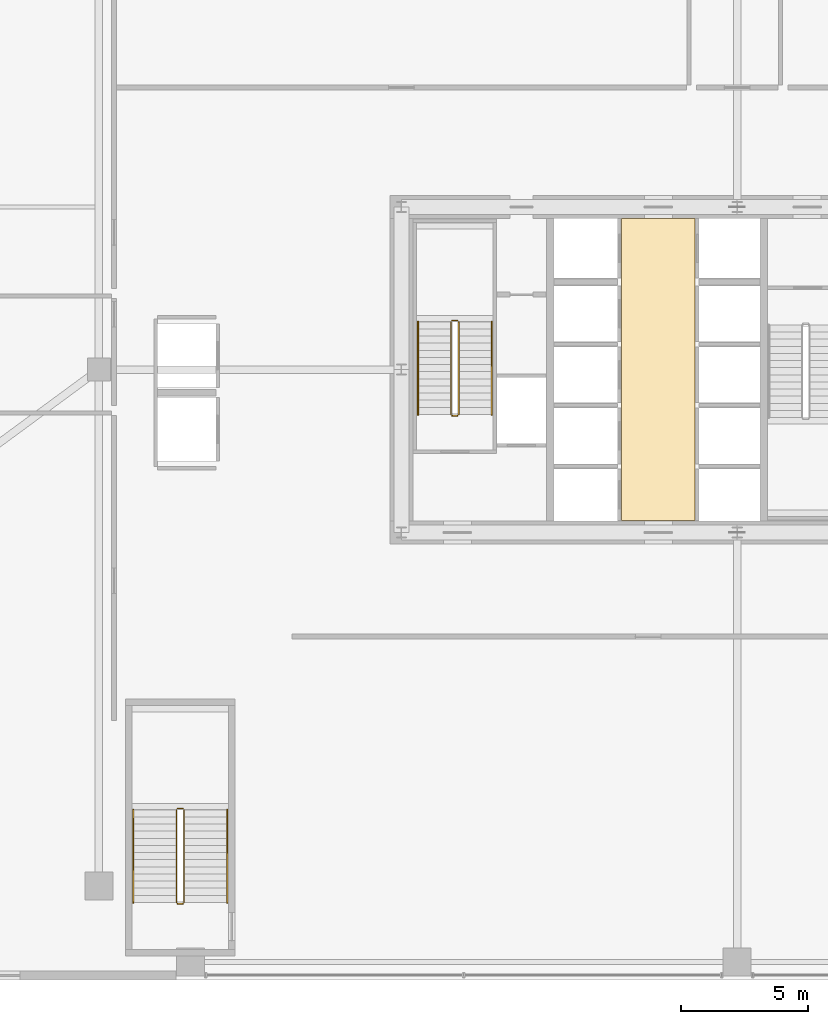
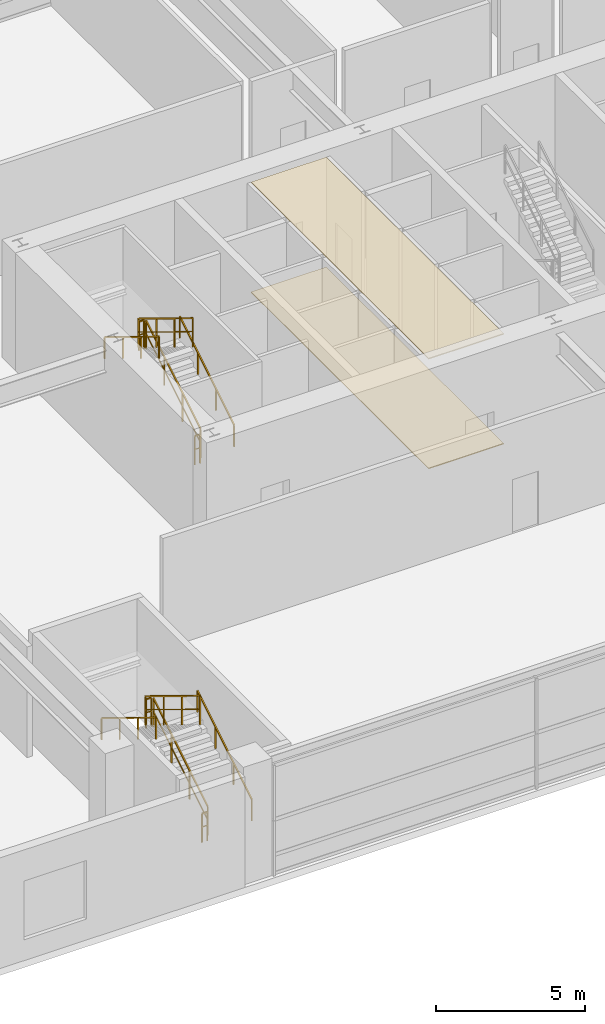
# One storey, part 37 of 38: 12 railings, 2 coverings.
"""IFC4 building model written with IfcOpenShell, lengths in metres."""

from ifc_helpers import new_model, si_unit, direction, frame, origin, origin_2d, place, context, subcontext, project, spatial, polyline, rectangle, outline, extrude, source, transform, mapped, material, layer, layer_set, type_object, element, save


model = new_model("IFC4")

# Units and contexts
model_context = context("Model", 3, precision=1e-05, world=origin(), true_north=direction((0.0, 1.0)))
body_context = subcontext(model_context, "Body", "Model", "MODEL_VIEW")
ifc_project = project(units=[si_unit("LENGTHUNIT", "METRE"), si_unit("AREAUNIT", "SQUARE_METRE"), si_unit("VOLUMEUNIT", "CUBIC_METRE"), si_unit("PLANEANGLEUNIT", "RADIAN"), si_unit("MASSUNIT", "GRAM", prefix="KILO"), si_unit("THERMODYNAMICTEMPERATUREUNIT", "KELVIN"), si_unit("POWERUNIT", "WATT")], contexts=[model_context])

# Site, building, storey
site_placement = place(None, origin())
site = spatial("IfcSite", under=ifc_project, at=site_placement, CompositionType="ELEMENT")
building_placement = place(site_placement, origin())
building = spatial("IfcBuilding", under=site, at=building_placement, Name="Yuzanri Waterfront Tower", CompositionType="ELEMENT")
storey_placement = place(building_placement, frame((0.0, 0.0, 10.199951171875)))
storey = spatial("IfcBuildingStorey", under=building, at=storey_placement, Name="L03", CompositionType="ELEMENT", Elevation=10.199951171875)

# Coverings
ifc_material_1 = material(Name="Anodized Architectural Bronze", Category="metal")
ifc_layer_1 = layer(ifc_material_1, 0.0400390625)
ifc_layer_set_1 = layer_set([ifc_layer_1], Name="Anodized Architectural Bronze")
covering_type_1 = type_object("IfcCoveringType", Name="Anodized Bronze Linear Baffle Lobby Ceiling 40", PredefinedType="CEILING", material=ifc_layer_set_1)
covering_1_placement = place(storey_placement, frame((0.0, 0.0, 4.47998046875)))
element("IfcCovering", 1, at=covering_1_placement, inside=storey, type_object=covering_type_1, Name="L03 Lift Lobby Bronze Baffle Ceiling", PredefinedType="CEILING", context=body_context, shape_type="SweptSolid", body=[
    extrude(outline(polyline([(32.449951171875, 19.860107421875), (35.35009765625, 19.860107421875), (35.35009765625, 31.739990234375), (32.449951171875, 31.739990234375), (32.449951171875, 19.860107421875)])), origin(), (0.0, 0.0, 1.0), 0.0400390625),
])
ifc_material_2 = material(Name="Honed Cream Limestone", Category="masonry")
ifc_layer_2 = layer(ifc_material_2, 0.034912109375)
ifc_layer_set_2 = layer_set([ifc_layer_2], Name="Honed Cream Limestone")
covering_type_2 = type_object("IfcCoveringType", Name="Honed Limestone Lobby Floor Finish 35", PredefinedType="FLOORING", material=ifc_layer_set_2)
covering_2_placement = place(storey_placement, origin())
element("IfcCovering", 2, at=covering_2_placement, inside=storey, type_object=covering_type_2, Name="L03 Lift Lobby Limestone Floor Finish", PredefinedType="FLOORING", context=body_context, shape_type="SweptSolid", body=[
    extrude(outline(polyline([(32.449951171875, 19.860107421875), (35.35009765625, 19.860107421875), (35.35009765625, 31.739990234375), (32.449951171875, 31.739990234375), (32.449951171875, 19.860107421875)])), origin(), (0.0, 0.0, 1.0), 0.03515625),
])

# Railings
ifc_material_3 = material(Name="Painted Galvanized Fire Steel", Category="steel")
ifc_layer_3 = layer(ifc_material_3, 0.06005859375)
ifc_layer_set_3 = layer_set([ifc_layer_3], Name="Painted Galvanized Fire Steel")
railing_type_1 = type_object("IfcRailingType", Name="Painted Steel Stairwell Guardrail 1120", PredefinedType="GUARDRAIL", material=ifc_layer_set_3)
shared_shape_1 = source(origin(), body_context, "Body", "SweptSolid", [
    extrude(rectangle(XDim=0.050048828125, YDim=0.050048828125, at=origin_2d()), frame((0.0, 0.0, 1.1748046875), z_axis=(-1.0, 0.0, 0.0), x_axis=(0.0, -1.0, 0.0)), (0.0, 0.0, 1.0), 0.199951171875),
    extrude(rectangle(XDim=0.035888671875, YDim=0.030029296875, at=origin_2d()), frame((0.0, 0.0, 0.6240234375), z_axis=(-1.0, 0.0, 0.0), x_axis=(0.0, -1.0, 0.0)), (0.0, 0.0, 1.0), 0.199951171875),
    extrude(rectangle(XDim=0.0458984375, YDim=0.0458984375, at=origin_2d()), origin(), (0.0, 0.0, 1.0), 1.14990234375),
    extrude(rectangle(XDim=0.0458984375, YDim=0.0458984375, at=origin_2d()), frame((-0.199951171875, 0.0, 0.0)), (0.0, 0.0, 1.0), 1.14990234375),
])
for number, where, name in (
    (3, (26.0, 27.72998046875, 2.400146484375), "L03 ST-01 stair guard 2"),
    (4, (26.0, 23.989990234375, 0.0), "L03 ST-01 stair guard 4"),
    (5, (15.199951171875, 8.5400390625, 2.400146484375), "L03 PST-01 stair guard 2"),
    (6, (15.199951171875, 4.800048828125, 0.0), "L03 PST-01 stair guard 4"),
):
    element("IfcRailing", number, at=place(storey_placement, frame(where)), inside=storey, type_object=railing_type_1, Name=name, PredefinedType="GUARDRAIL", context=body_context, shape_type="MappedRepresentation", body=[
        mapped(shared_shape_1, transform((0.0, 0.0, 0.0), scale=1.0)),
    ])
shared_shape_2 = source(origin(), body_context, "Body", "SweptSolid", [
    extrude(rectangle(XDim=0.050048828125, YDim=0.050048828125, at=origin_2d()), frame((0.0, 0.0, 1.1748046875), z_axis=(0.0, -0.852850264322, 0.5221555579), x_axis=(1.0, 0.0, 0.0)), (0.0, 0.0, 1.0), 4.267822265625),
    extrude(rectangle(XDim=0.035888671875, YDim=0.030029296875, at=origin_2d()), frame((0.0, 0.0, 0.6240234375), z_axis=(0.0, -0.852850264322, 0.5221555579), x_axis=(1.0, 0.0, 0.0)), (0.0, 0.0, 1.0), 4.267822265625),
    extrude(rectangle(XDim=0.0458984375, YDim=0.0458984375, at=origin_2d()), origin(), (0.0, 0.0, 1.0), 1.14990234375),
    extrude(rectangle(XDim=0.0458984375, YDim=0.0458984375, at=origin_2d()), frame((0.0, -1.21337890625, 0.742919921875)), (0.0, 0.0, 1.0), 1.14990234375),
    extrude(rectangle(XDim=0.0458984375, YDim=0.0458984375, at=origin_2d()), frame((0.0, -2.426513671875, 1.485595703125)), (0.0, 0.0, 1.0), 1.14990234375),
    extrude(rectangle(XDim=0.0458984375, YDim=0.0458984375, at=origin_2d()), frame((0.0, -3.639892578125, 2.228515625)), (0.0, 0.0, 1.0), 1.14990234375),
])
for number, where, name in (
    (7, (25.75, 27.679931640625, 2.571533203125), "L03 ST-01 stair guard 3"),
    (8, (14.949951171875, 8.489990234375, 2.571533203125), "L03 PST-01 stair guard 3"),
):
    element("IfcRailing", number, at=place(storey_placement, frame(where)), inside=storey, type_object=railing_type_1, Name=name, PredefinedType="GUARDRAIL", context=body_context, shape_type="MappedRepresentation", body=[
        mapped(shared_shape_2, transform((0.0, 0.0, 0.0), scale=1.0)),
    ])
ifc_material_4 = material(Name="Anodized Architectural Bronze", Category="metal")
ifc_layer_4 = layer(ifc_material_4, 0.050048828125)
ifc_layer_set_4 = layer_set([ifc_layer_4], Name="Anodized Architectural Bronze")
railing_type_2 = type_object("IfcRailingType", Name="Brushed Bronze Stair Pitch Handrail 920", PredefinedType="HANDRAIL", material=ifc_layer_set_4)
shared_shape_3 = source(origin(), body_context, "Body", "SweptSolid", [
    extrude(rectangle(XDim=0.050048828125, YDim=0.050048828125, at=origin_2d()), frame((0.0, 0.0, 0.875), z_axis=(0.0, -0.852850264322, 0.5221555579), x_axis=(1.0, 0.0, 0.0)), (0.0, 0.0, 1.0), 4.267822265625),
    extrude(rectangle(XDim=0.0458984375, YDim=0.0458984375, at=origin_2d()), origin(), (0.0, 0.0, 1.0), 0.849853515625),
    extrude(rectangle(XDim=0.0458984375, YDim=0.0458984375, at=origin_2d()), frame((0.0, -1.21337890625, 0.742919921875)), (0.0, 0.0, 1.0), 0.849853515625),
    extrude(rectangle(XDim=0.0458984375, YDim=0.0458984375, at=origin_2d()), frame((0.0, -2.426513671875, 1.485595703125)), (0.0, 0.0, 1.0), 0.849853515625),
    extrude(rectangle(XDim=0.0458984375, YDim=0.0458984375, at=origin_2d()), frame((0.0, -3.639892578125, 2.228515625)), (0.0, 0.0, 1.0), 0.849853515625),
])
for number, where, name in (
    (9, (24.449951171875, 27.679931640625, 2.571533203125), "L03 ST-01 stair handrail 2"),
    (10, (13.25, 8.489990234375, 2.571533203125), "L03 PST-01 stair handrail 2"),
):
    element("IfcRailing", number, at=place(storey_placement, frame(where)), inside=storey, type_object=railing_type_2, Name=name, PredefinedType="HANDRAIL", context=body_context, shape_type="MappedRepresentation", body=[
        mapped(shared_shape_3, transform((0.0, 0.0, 0.0), scale=1.0)),
    ])
shared_shape_4 = source(origin(), body_context, "Body", "SweptSolid", [
    extrude(rectangle(XDim=0.050048828125, YDim=0.050048828125, at=origin_2d()), frame((0.0, 0.0, 1.1748046875), z_axis=(0.0, 0.852824790078, 0.522197163366), x_axis=(-1.0, 0.0, 0.0)), (0.0, 0.0, 1.0), 4.26806640625),
    extrude(rectangle(XDim=0.035888671875, YDim=0.030029296875, at=origin_2d()), frame((0.0, 0.0, 0.6240234375), z_axis=(0.0, 0.852824790078, 0.522197163366), x_axis=(-1.0, 0.0, 0.0)), (0.0, 0.0, 1.0), 4.26806640625),
    extrude(rectangle(XDim=0.0458984375, YDim=0.0458984375, at=origin_2d()), origin(), (0.0, 0.0, 1.0), 1.14990234375),
    extrude(rectangle(XDim=0.0458984375, YDim=0.0458984375, at=origin_2d()), frame((0.0, 1.21337890625, 0.742919921875)), (0.0, 0.0, 1.0), 1.14990234375),
    extrude(rectangle(XDim=0.0458984375, YDim=0.0458984375, at=origin_2d()), frame((0.0, 2.426513671875, 1.48583984375)), (0.0, 0.0, 1.0), 1.14990234375),
    extrude(rectangle(XDim=0.0458984375, YDim=0.0458984375, at=origin_2d()), frame((0.0, 3.639892578125, 2.228759765625)), (0.0, 0.0, 1.0), 1.14990234375),
])
for number, where, name in (
    (11, (26.050048828125, 24.0400390625, 0.17138671875), "L03 ST-01 stair guard 1"),
    (12, (15.25, 4.85009765625, 0.17138671875), "L03 PST-01 stair guard 1"),
):
    element("IfcRailing", number, at=place(storey_placement, frame(where)), inside=storey, type_object=railing_type_1, Name=name, PredefinedType="GUARDRAIL", context=body_context, shape_type="MappedRepresentation", body=[
        mapped(shared_shape_4, transform((0.0, 0.0, 0.0), scale=1.0)),
    ])
shared_shape_5 = source(origin(), body_context, "Body", "SweptSolid", [
    extrude(rectangle(XDim=0.050048828125, YDim=0.050048828125, at=origin_2d()), frame((0.0, 0.0, 0.875), z_axis=(0.0, 0.852824790078, 0.522197163366), x_axis=(-1.0, 0.0, 0.0)), (0.0, 0.0, 1.0), 4.26806640625),
    extrude(rectangle(XDim=0.0458984375, YDim=0.0458984375, at=origin_2d()), origin(), (0.0, 0.0, 1.0), 0.849853515625),
    extrude(rectangle(XDim=0.0458984375, YDim=0.0458984375, at=origin_2d()), frame((0.0, 1.21337890625, 0.742919921875)), (0.0, 0.0, 1.0), 0.849853515625),
    extrude(rectangle(XDim=0.0458984375, YDim=0.0458984375, at=origin_2d()), frame((0.0, 2.426513671875, 1.48583984375)), (0.0, 0.0, 1.0), 0.849853515625),
    extrude(rectangle(XDim=0.0458984375, YDim=0.0458984375, at=origin_2d()), frame((0.0, 3.639892578125, 2.228759765625)), (0.0, 0.0, 1.0), 0.849853515625),
])
for number, where, name in (
    (13, (27.35009765625, 24.0400390625, 0.17138671875), "L03 ST-01 stair handrail 1"),
    (14, (16.949951171875, 4.85009765625, 0.17138671875), "L03 PST-01 stair handrail 1"),
):
    element("IfcRailing", number, at=place(storey_placement, frame(where)), inside=storey, type_object=railing_type_2, Name=name, PredefinedType="HANDRAIL", context=body_context, shape_type="MappedRepresentation", body=[
        mapped(shared_shape_5, transform((0.0, 0.0, 0.0), scale=1.0)),
    ])

save(model, "model.ifc")
